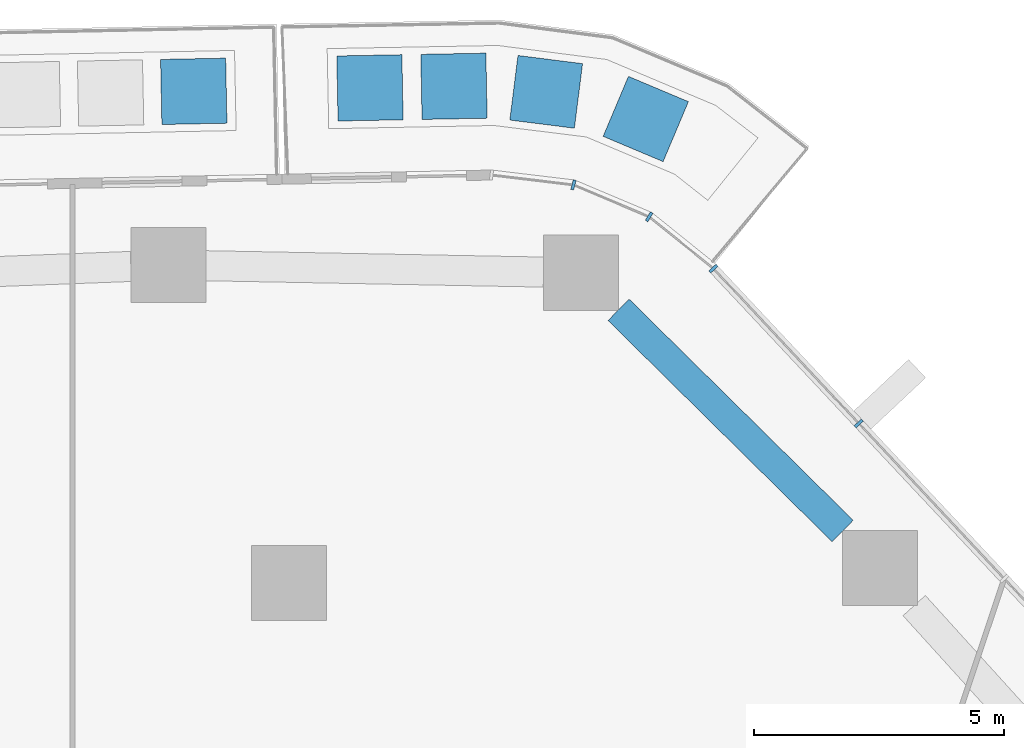
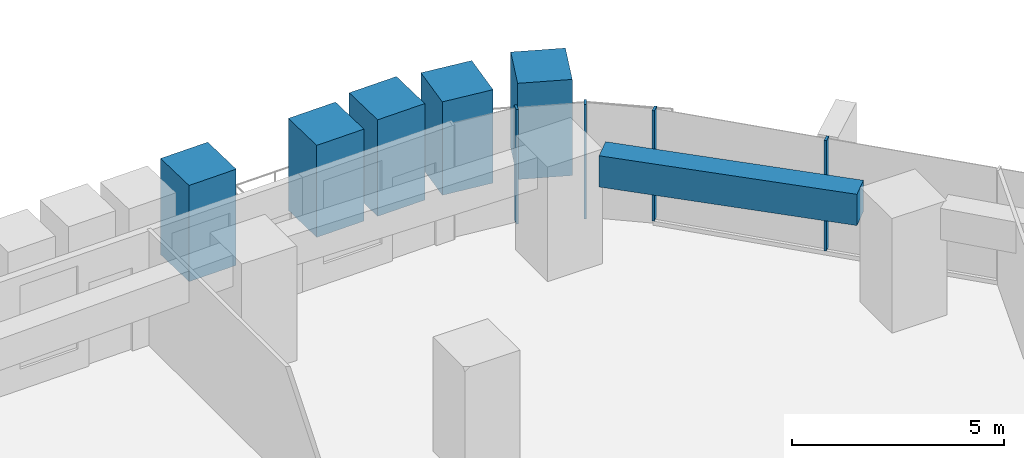
# One storey, part 9 of 24: 9 members, 1 beam, 2 elements without a shape of their own.
"""IFC4 building model written with IfcOpenShell, lengths in metres."""

from ifc_helpers import new_model, si_unit, direction, frame, origin, origin_2d, place, context, subcontext, project, spatial, rectangle, extrude, material, layer, layer_set, material_profile, profile_set, type_object, element, aggregate, save


model = new_model("IFC4")

# Units and contexts
model_context = context("Model", 3, precision=1e-05, world=origin(), true_north=direction((0.0, 1.0)))
body_context = subcontext(model_context, "Body", "Model", "MODEL_VIEW")
ifc_project = project(units=[si_unit("LENGTHUNIT", "METRE"), si_unit("AREAUNIT", "SQUARE_METRE"), si_unit("VOLUMEUNIT", "CUBIC_METRE"), si_unit("PLANEANGLEUNIT", "RADIAN"), si_unit("MASSUNIT", "GRAM", prefix="KILO")], contexts=[model_context])

# Site, building, storey
site_placement = place(None, origin())
site = spatial("IfcSite", under=ifc_project, at=site_placement, CompositionType="ELEMENT")
building_placement = place(site_placement, origin())
building = spatial("IfcBuilding", under=site, at=building_placement, Name="Dongbaek Canopy Tower", CompositionType="ELEMENT")
storey_placement = place(building_placement, frame((0.0, 0.0, 44.0)))
storey = spatial("IfcBuildingStorey", under=building, at=storey_placement, Name="L06", CompositionType="ELEMENT", Elevation=44.0)

# Curtain wall, members
ifc_material_1 = material(Name="Aluminium 6063-T6 pale anodised", Category="aluminium")
ifc_layer = layer(ifc_material_1, 0.199951171875)
ifc_layer_set = layer_set([ifc_layer], Name="CW-1 unitised tower curtain wall")
curtain_wall_type = type_object("IfcCurtainWallType", Name="CW-1 unitised tower curtain wall", PredefinedType="NOTDEFINED", material=ifc_layer_set)
curtain_wall_1_placement = place(storey_placement, origin())
curtain_wall_1 = element("IfcCurtainWall", 1, at=curtain_wall_1_placement, inside=storey, type_object=curtain_wall_type, Name="CW-1 curtain wall F0.1", PredefinedType="NOTDEFINED")
ifc_material_2 = material(Name="Aluminium 6063-T6 pale anodised", Category="aluminium")
ifc_material_profile_1 = material_profile(ifc_material_2, rectangle(XDim=0.199951171875, YDim=0.06005859375, at=origin_2d()), Name="CW-1 mullion 60 x 200")
ifc_profile_set_1 = profile_set([ifc_material_profile_1], Name="Aluminium 6063-T6 pale anodised")
member_type_1 = type_object("IfcMemberType", Name="CW-1 mullion 60 x 200", PredefinedType="MULLION", material=ifc_profile_set_1)
member_1_placement = place(storey_placement, frame((20.376708984375, 30.1845703125, 0.1201171875), z_axis=(0.0, 0.0, 1.0), x_axis=(0.729369243815, 0.684120242484, 0.0)))
member_1 = element("IfcMember", 2, at=member_1_placement, type_object=member_type_1, Name="CW-1 mullion F0.1.7", PredefinedType="MULLION", context=body_context, shape_type="SweptSolid", body=[
    extrude(rectangle(XDim=0.199951171875, YDim=0.06005859375, at=origin_2d()), origin(), (0.0, 0.0, 1.0), 3.179931640625),
])
member_2_placement = place(storey_placement, frame((17.474609375, 33.278564453125, 0.1201171875), z_axis=(0.0, 0.0, 1.0), x_axis=(0.729369243815, 0.684120242484, 0.0)))
member_2 = element("IfcMember", 3, at=member_2_placement, type_object=member_type_1, Name="CW-1 mullion F0.1.8", PredefinedType="MULLION", context=body_context, shape_type="SweptSolid", body=[
    extrude(rectangle(XDim=0.199951171875, YDim=0.06005859375, at=origin_2d()), origin(), (0.0, 0.0, 1.0), 3.179931640625),
])
aggregate(curtain_wall_1, [member_1, member_2])

curtain_wall_2_placement = place(storey_placement, origin())
curtain_wall_2 = element("IfcCurtainWall", 4, at=curtain_wall_2_placement, inside=storey, type_object=curtain_wall_type, Name="CW-1 curtain wall K1.1", PredefinedType="NOTDEFINED")
member_3_placement = place(storey_placement, frame((16.19091796875, 34.312255859375, 0.0), z_axis=(0.0, 0.0, 1.0), x_axis=(0.512669109818, 0.858586270469, 0.0)))
member_3 = element("IfcMember", 5, at=member_3_placement, type_object=member_type_1, Name="CW-1 mullion K1.1.2", PredefinedType="MULLION", context=body_context, shape_type="SweptSolid", body=[
    extrude(rectangle(XDim=0.199951171875, YDim=0.06005859375, at=origin_2d()), origin(), (0.0, 0.0, 1.0), 3.300048828125),
])
member_4_placement = place(storey_placement, frame((14.678466796875, 34.949462890625, 0.0), z_axis=(0.0, 0.0, 1.0), x_axis=(0.256289748886, 0.966600002388, 0.0)))
member_4 = element("IfcMember", 6, at=member_4_placement, type_object=member_type_1, Name="CW-1 mullion K1.1.3", PredefinedType="MULLION", context=body_context, shape_type="SweptSolid", body=[
    extrude(rectangle(XDim=0.199951171875, YDim=0.06005859375, at=origin_2d()), origin(), (0.0, 0.0, 1.0), 3.300048828125),
])
aggregate(curtain_wall_2, [member_3, member_4])

# Beam
ifc_material_3 = material(Name="Concrete C80", Category="concrete")
ifc_material_profile_2 = material_profile(ifc_material_3, rectangle(XDim=0.60009765625, YDim=0.89990234375, at=origin_2d()), Name="RC EDGE BEAM 600x900 C80")
ifc_profile_set_2 = profile_set([ifc_material_profile_2], Name="Concrete C80")
beam_type = type_object("IfcBeamType", Name="RC EDGE BEAM 600x900 C80", PredefinedType="BEAM", material=ifc_profile_set_2)
beam_placement = place(storey_placement, frame((15.580078125, 32.453857421875, 2.85009765625), z_axis=(0.711712436236, -0.702470930435, 0.0), x_axis=(0.702470930435, 0.711712436236, 0.0)))
element("IfcBeam", 7, at=beam_placement, inside=storey, type_object=beam_type, Name="EDGEBEAM:L06:17", PredefinedType="BEAM", context=body_context, shape_type="SweptSolid", body=[
    extrude(rectangle(XDim=0.60009765625, YDim=0.89990234375, at=origin_2d()), origin(), (0.0, 0.0, 1.0), 6.287353515625),
])

# Members
ifc_material_4 = material(Name="Concrete C40/50 planter mass with planting", Category="concrete")
ifc_material_profile_3 = material_profile(ifc_material_4, rectangle(XDim=1.300048828125, YDim=1.300048828125, at=origin_2d()), Name="Terrace PLANTER shrub mass 1300 x 1300")
ifc_profile_set_3 = profile_set([ifc_material_profile_3], Name="Concrete C40/50 planter mass with planting")
member_type_2 = type_object("IfcMemberType", Name="Terrace PLANTER shrub mass 1300 x 1300", PredefinedType="USERDEFINED", material=ifc_profile_set_3)
for number, where, z_axis, x_axis, name in (
    (8, (7.095703125, 36.81787109375, 0.419921875), (0.0, 0.0, 1.0), (-0.019925757664, 0.999801462382, 0.0), "Planter shrubs L06 1.1"),
    (9, (16.123291015625, 36.26513671875, 0.419921875), (0.0, 0.0, 1.0), (0.388254005988, 0.921552400482, 0.0), "Planter shrubs L06 5.1"),
):
    element("IfcMember", number, at=place(storey_placement, frame(where, z_axis=z_axis, x_axis=x_axis)), inside=storey, type_object=member_type_2, Name=name, ObjectType="PLANTER", PredefinedType="USERDEFINED", context=body_context, shape_type="SweptSolid", body=[
        extrude(rectangle(XDim=1.300048828125, YDim=1.300048828125, at=origin_2d()), origin(), (0.0, 0.0, 1.0), 2.77001953125),
    ])
member_5_placement = place(storey_placement, frame((14.13427734375, 36.807373046875, 0.419921875), z_axis=(0.0, 0.0, 1.0), x_axis=(0.125387731324, 0.992107815126, 0.0)))
element("IfcMember", 10, at=member_5_placement, inside=storey, type_object=member_type_2, Name="Planter shrubs L06 5.2", ObjectType="PLANTER", PredefinedType="USERDEFINED", context=body_context, shape_type="SweptSolid", body=[
    extrude(rectangle(XDim=1.300048828125, YDim=1.300048828125, at=origin_2d()), origin(), (0.0, 0.0, 1.0), 2.690185546875),
])
member_6_placement = place(storey_placement, frame((12.29248046875, 36.91845703125, 0.419921875), z_axis=(0.0, 0.0, 1.0), x_axis=(-0.018700559201, 0.999825129253, 0.0)))
element("IfcMember", 11, at=member_6_placement, inside=storey, type_object=member_type_2, Name="Planter shrubs L06 5.3", ObjectType="PLANTER", PredefinedType="USERDEFINED", context=body_context, shape_type="SweptSolid", body=[
    extrude(rectangle(XDim=1.300048828125, YDim=1.300048828125, at=origin_2d()), origin(), (0.0, 0.0, 1.0), 2.780029296875),
])
member_7_placement = place(storey_placement, frame((10.61474609375, 36.886962890625, 0.419921875), z_axis=(0.0, 0.0, 1.0), x_axis=(-0.018700559201, 0.999825129253, 0.0)))
element("IfcMember", 12, at=member_7_placement, inside=storey, type_object=member_type_2, Name="Planter shrubs L06 5.4", ObjectType="PLANTER", PredefinedType="USERDEFINED", context=body_context, shape_type="SweptSolid", body=[
    extrude(rectangle(XDim=1.300048828125, YDim=1.300048828125, at=origin_2d()), origin(), (0.0, 0.0, 1.0), 2.650146484375),
])

save(model, "model.ifc")
